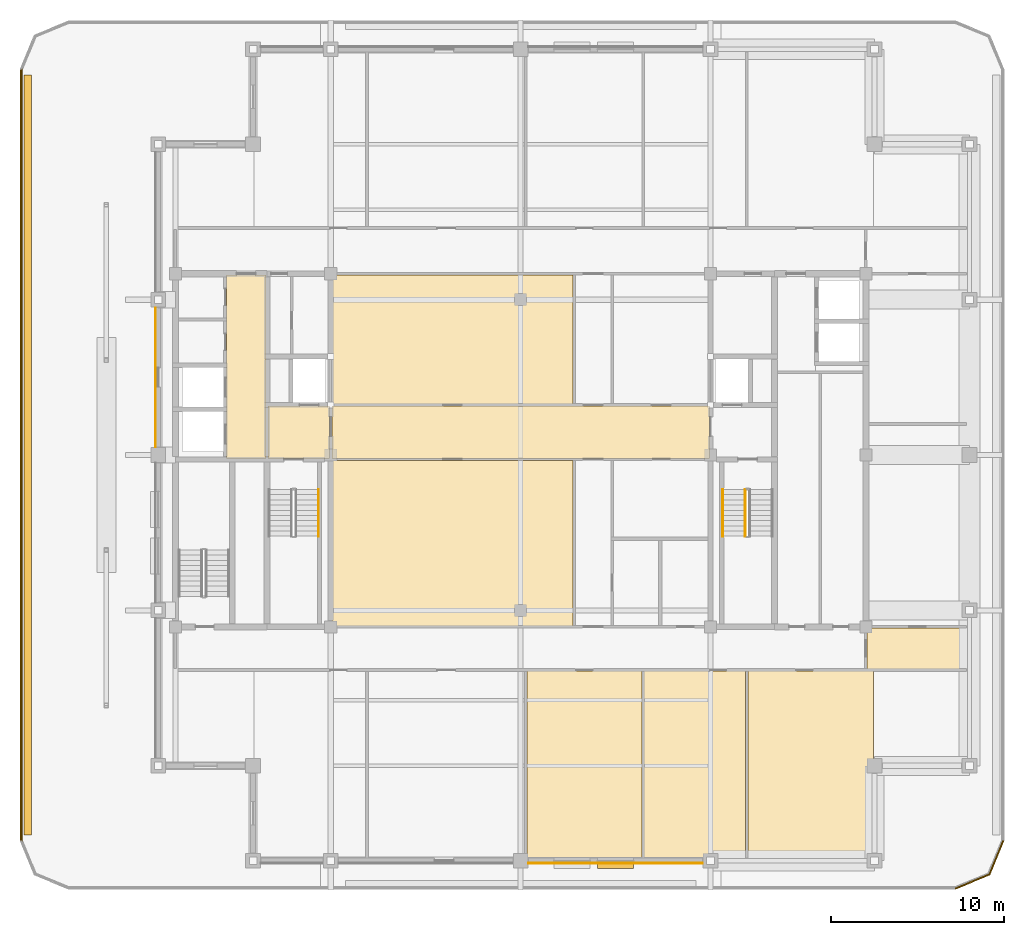
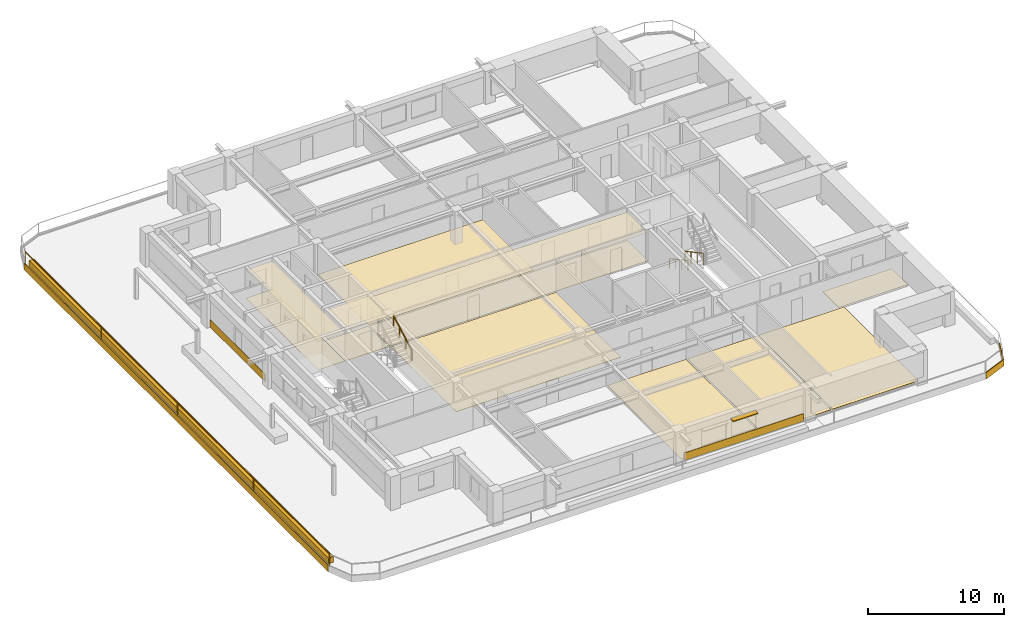
# One storey, part 12 of 14: 18 coverings, 4 railings, 1 shading device.
"""IFC4 building model written with IfcOpenShell, lengths in metres."""

import ifcopenshell
import ifcopenshell.guid

model = None  # the IFC model being written
_history = None  # IfcOwnerHistory: only IFC2X3 demands one
_inside = {}  # id of a spatial element -> (the spatial element, [elements in it])
_under = {}  # id of a project, library or spatial element -> (it, [spatial elements below it])
_declared = {}  # id of a project -> (the project, [libraries it declares])
_typed = {}  # id of a type object -> (the type object, [elements of that type])
_made_of = {}  # id of a material, layer set ... -> (it, [elements and type objects made of it])


def new_model(schema):
    """Start an empty IFC model of exactly this schema.

    Asked for "IFC4X3", IfcOpenShell would pick the latest addendum, in which some entities
    have other attributes; the version numbers below select the first issue.
    IFC2X3 requires an IfcOwnerHistory on every rooted entity: one is made here for all.
    """
    global model, _history
    if schema == "IFC4X3":
        model = ifcopenshell.file(schema_version=(4, 3, 0, 0))
    else:
        model = ifcopenshell.file(schema=schema)
    _inside.clear()
    _under.clear()
    _declared.clear()
    _typed.clear()
    _made_of.clear()
    _history = None
    if model.schema == "IFC2X3":
        org = make("IfcOrganization", Name="unknown")
        user = make(
            "IfcPersonAndOrganization",
            ThePerson=make("IfcPerson", FamilyName="unknown"),
            TheOrganization=org,
        )
        app = make(
            "IfcApplication",
            ApplicationDeveloper=org,
            Version="unknown",
            ApplicationFullName="unknown",
            ApplicationIdentifier="unknown",
        )
        _history = make(
            "IfcOwnerHistory",
            OwningUser=user,
            OwningApplication=app,
            ChangeAction="ADDED",
            CreationDate=0,
        )
    return model


def make(cls, **values):
    """One entity of the class cls with the attributes given. An attribute that is None is left unset."""
    return model.create_entity(
        cls, **{name: value for name, value in values.items() if value is not None}
    )


def rooted(cls, **values):
    """An entity with a GlobalId (a new one), such as an element, a storey or a relation."""
    return make(cls, GlobalId=ifcopenshell.guid.new(), OwnerHistory=_history, **values)


def si_unit(unit_type, name, prefix=None):
    """IfcSIUnit, for example si_unit("LENGTHUNIT", "METRE", prefix="MILLI")."""
    return make("IfcSIUnit", UnitType=unit_type, Prefix=prefix, Name=name)


def assignment(units):
    """IfcUnitAssignment: the units of a project."""
    return None if units is None else make("IfcUnitAssignment", Units=units)


def point(xyz):
    """IfcCartesianPoint."""
    return None if xyz is None else make("IfcCartesianPoint", Coordinates=xyz)


def direction(xyz):
    """IfcDirection."""
    return None if xyz is None else make("IfcDirection", DirectionRatios=xyz)


def frame(location, z_axis=None, x_axis=None):
    """IfcAxis2Placement3D, a coordinate frame: its origin and axes. An axis left out is left unset."""
    return make(
        "IfcAxis2Placement3D",
        Location=point(location),
        Axis=direction(z_axis),
        RefDirection=direction(x_axis),
    )


def frame_2d(location, x_axis=None):
    """IfcAxis2Placement2D, a coordinate frame in the plane: its origin and x axis."""
    return make(
        "IfcAxis2Placement2D", Location=point(location), RefDirection=direction(x_axis)
    )


def origin():
    """The frame at (0, 0, 0) with its axes left unset."""
    return frame((0.0, 0.0, 0.0))


def origin_2d():
    """The frame at (0, 0) in the plane with its x axis left unset."""
    return frame_2d((0.0, 0.0))


def place(relative_to, where):
    """IfcLocalPlacement: puts the frame where relative to a parent placement (None: the world)."""
    return make(
        "IfcLocalPlacement", PlacementRelTo=relative_to, RelativePlacement=where
    )


def context(
    kind, dimensions, precision=None, world=None, true_north=None, identifier=None
):
    """IfcGeometricRepresentationContext, for example the 3D "Model" context."""
    return make(
        "IfcGeometricRepresentationContext",
        ContextIdentifier=identifier,
        ContextType=kind,
        CoordinateSpaceDimension=dimensions,
        Precision=precision,
        WorldCoordinateSystem=world,
        TrueNorth=true_north,
    )


def subcontext(parent, identifier, kind, view, scale=None):
    """IfcGeometricRepresentationSubContext, for example "Body" below "Model"."""
    return make(
        "IfcGeometricRepresentationSubContext",
        ContextIdentifier=identifier,
        ContextType=kind,
        ParentContext=parent,
        TargetScale=scale,
        TargetView=view,
    )


def project(units=None, contexts=None):
    """IfcProject with its units and contexts."""
    return rooted(
        "IfcProject",
        Name="project",
        RepresentationContexts=contexts,
        UnitsInContext=assignment(units),
    )


def spatial(cls, under=None, at=None, **own):
    """A site, building, storey or space (cls), placed at a placement, below another one or the project."""
    s = rooted(cls, ObjectPlacement=at, **own)
    if under is not None:
        _under.setdefault(under.id(), (under, []))[1].append(s)
    return s


def polyline(points):
    """IfcPolyline through the points."""
    return make("IfcPolyline", Points=[point(p) for p in points])


def profile(cls, at=None, kind="AREA", **sizes):
    """A parametric profile (cls). Its sizes go by their IFC names, for example OverallWidth=200.0."""
    return make(cls, ProfileType=kind, Position=at, **sizes)


def rectangle(**sizes):
    """IfcRectangleProfileDef."""
    return profile("IfcRectangleProfileDef", **sizes)


def outline(outer, holes=None, kind="AREA"):
    """IfcArbitraryClosedProfileDef: a profile drawn as a closed curve; with holes, ...WithVoids."""
    if holes is None:
        return make("IfcArbitraryClosedProfileDef", ProfileType=kind, OuterCurve=outer)
    return make(
        "IfcArbitraryProfileDefWithVoids",
        ProfileType=kind,
        OuterCurve=outer,
        InnerCurves=holes,
    )


def extrude(swept, where, along, depth):
    """IfcExtrudedAreaSolid: the profile swept, set in the frame where, extruded along a direction by depth."""
    return make(
        "IfcExtrudedAreaSolid",
        SweptArea=swept,
        Position=where,
        ExtrudedDirection=direction(along),
        Depth=depth,
    )


def shape(context_of_items, identifier, shape_type, items):
    """IfcShapeRepresentation: the items that make up one representation, for example the "Body"."""
    return make(
        "IfcShapeRepresentation",
        ContextOfItems=context_of_items,
        RepresentationIdentifier=identifier,
        RepresentationType=shape_type,
        Items=items,
    )


def material(Name=None, Category=None):
    """IfcMaterial."""
    return make("IfcMaterial", Name=Name, Category=Category)


def layer(
    of_material, thickness, ventilated=None, Name=None, Category=None, Priority=None
):
    """IfcMaterialLayer: one layer of a wall or slab, of a material (None: an air gap)."""
    return make(
        "IfcMaterialLayer",
        Material=of_material,
        LayerThickness=thickness,
        IsVentilated=ventilated,
        Name=Name,
        Category=Category,
        Priority=Priority,
    )


def layer_set(layers, Name=None):
    """IfcMaterialLayerSet."""
    return make("IfcMaterialLayerSet", MaterialLayers=layers, LayerSetName=Name)


def made_of(thing, what):
    """Note that an element or type object is made of a material, layer set ...; save() writes the relation."""
    if what is not None:
        _made_of.setdefault(what.id(), (what, []))[1].append(thing)
    return thing


def type_object(cls, material=None, **own):
    """A type object (cls), such as IfcWallType, which elements share."""
    return made_of(rooted(cls, **own), material)


def element(
    cls,
    number,
    at=None,
    inside=None,
    cuts=None,
    type_object=None,
    material=None,
    context=None,
    identifier="Body",
    shape_type=None,
    held_by="IfcProductDefinitionShape",
    body=None,
    shapes=None,
    **own,
):
    """One element of the class cls, such as IfcWall. Its Tag is "e" and its number.

    at: its placement. inside: the storey or other place that contains it. cuts: it is an
    opening in that element (IfcRelVoidsElement). A single representation is given by context,
    identifier, shape_type and body (its items); several are given by shapes. held_by: the class
    of the entity that holds the representations. save() writes the other relations.
    """
    e = rooted(cls, Tag="e%d" % number, ObjectPlacement=at, **own)
    if body is not None:
        shapes = [shape(context, identifier, shape_type, body)]
    if shapes is not None:
        e.Representation = make(held_by, Representations=shapes)
    if inside is not None:
        _inside.setdefault(inside.id(), (inside, []))[1].append(e)
    if cuts is not None:
        rooted(
            "IfcRelVoidsElement", RelatingBuildingElement=cuts, RelatedOpeningElement=e
        )
    if type_object is not None:
        _typed.setdefault(type_object.id(), (type_object, []))[1].append(e)
    return made_of(e, material)


def aggregate(whole, parts):
    """IfcRelAggregates: a whole, such as a stair, and the parts it consists of."""
    return rooted("IfcRelAggregates", RelatingObject=whole, RelatedObjects=parts)


def save(model, path):
    """Write the relations noted so far, then the file.

    IfcRelAggregates (storeys below a building ...), IfcRelContainedInSpatialStructure (elements
    in a storey), IfcRelDefinesByType, IfcRelAssociatesMaterial and IfcRelDeclares: one each for
    every whole, place, type object, material and project.
    """
    for whole, parts in _under.values():
        aggregate(whole, parts)
    for where, things in _inside.values():
        rooted(
            "IfcRelContainedInSpatialStructure",
            RelatedElements=things,
            RelatingStructure=where,
        )
    for kind, things in _typed.values():
        rooted("IfcRelDefinesByType", RelatedObjects=things, RelatingType=kind)
    for what, things in _made_of.values():
        rooted("IfcRelAssociatesMaterial", RelatedObjects=things, RelatingMaterial=what)
    for by, libraries in _declared.values():
        rooted("IfcRelDeclares", RelatingContext=by, RelatedDefinitions=libraries)
    model.write(path)


model = new_model("IFC4")

# Units and contexts
model_context = context("Model", 3, precision=1e-05, world=origin(), true_north=direction((0.0, 1.0)))
body_context = subcontext(model_context, "Body", "Model", "MODEL_VIEW")
ifc_project = project(units=[si_unit("LENGTHUNIT", "METRE"), si_unit("AREAUNIT", "SQUARE_METRE"), si_unit("VOLUMEUNIT", "CUBIC_METRE"), si_unit("PLANEANGLEUNIT", "RADIAN"), si_unit("MASSUNIT", "GRAM", prefix="KILO")], contexts=[model_context])

# Site, building, storey
site_placement = place(None, origin())
site = spatial("IfcSite", under=ifc_project, at=site_placement, CompositionType="ELEMENT")
building_placement = place(site_placement, origin())
building = spatial("IfcBuilding", under=site, at=building_placement, Name="Zulmaris Gate Convention Tower", CompositionType="ELEMENT")
storey_placement = place(building_placement, frame((0.0, 0.0, 226.820068359375)))
storey = spatial("IfcBuildingStorey", under=building, at=storey_placement, Name="L59", CompositionType="ELEMENT", Elevation=226.820068359375)

# Coverings
ifc_material_1 = material(Name="Precast concrete C40/50", Category="concrete")
ifc_layer_1 = layer(ifc_material_1, 0.0400390625, Name="Precast concrete C40/50")
ifc_layer_set_1 = layer_set([ifc_layer_1], Name="Precast concrete C40/50")
covering_type_1 = type_object("IfcCoveringType", Name="CLAD-SPANDREL-PRECAST", PredefinedType="CLADDING", material=ifc_layer_set_1)
covering_1_placement = place(storey_placement, frame((0.455078125, -23.64990234375, 0.0), z_axis=(0.0, 0.0, 1.0), x_axis=(1.0, 0.0, 0.0)))
element("IfcCovering", 1, at=covering_1_placement, inside=storey, type_object=covering_type_1, Name="CLD-L59-S-2_0", PredefinedType="CLADDING", context=body_context, shape_type="SweptSolid", body=[
    extrude(rectangle(XDim=10.08984375, YDim=0.0400390625, at=frame_2d((5.044921875, 0.0))), origin(), (0.0, 0.0, 1.0), 0.679931640625),
])
covering_2_placement = place(storey_placement, frame((-21.14990234375, 8.544921875, 0.0), z_axis=(0.0, 0.0, 1.0), x_axis=(0.0, -1.0, 0.0)))
element("IfcCovering", 2, at=covering_2_placement, inside=storey, type_object=covering_type_1, Name="CLD-L59-W-2_0", PredefinedType="CLADDING", context=body_context, shape_type="SweptSolid", body=[
    extrude(rectangle(XDim=8.08984375, YDim=0.0400390625, at=frame_2d((4.044921875, 0.0))), origin(), (0.0, 0.0, 1.0), 0.679931640625),
])
ifc_material_2 = material(Name="White Glazed Architectural Precast Concrete C40/50", Category="concrete")
ifc_layer_2 = layer(ifc_material_2, 0.080078125, Name="White Glazed Architectural Precast Concrete C40/50")
ifc_layer_set_2 = layer_set([ifc_layer_2], Name="White Glazed Architectural Precast Concrete C40/50")
covering_type_2 = type_object("IfcCoveringType", Name="CLAD-TRAY-FASCIA", PredefinedType="CLADDING", material=ifc_layer_set_2)
covering_3_placement = place(storey_placement, frame((25.184814453125, -25.113037109375, -0.465087890625), z_axis=(0.0, 0.0, 1.0), x_axis=(0.923873803533, 0.382697263049, 0.0)))
element("IfcCovering", 3, at=covering_3_placement, inside=storey, type_object=covering_type_2, Name="FSC-L59-TR-03", PredefinedType="CLADDING", context=body_context, shape_type="SweptSolid", body=[
    extrude(rectangle(XDim=2.142822265625, YDim=0.080078125, at=frame_2d((1.0712890625, 0.0))), origin(), (0.0, 0.0, 1.0), 0.585205078125),
])
covering_4_placement = place(storey_placement, frame((27.142822265625, -24.314697265625, -0.465087890625), z_axis=(0.0, 0.0, 1.0), x_axis=(0.382656984709, 0.923890487046, 0.0)))
element("IfcCovering", 4, at=covering_4_placement, inside=storey, type_object=covering_type_2, Name="FSC-L59-TR-04", PredefinedType="CLADDING", context=body_context, shape_type="SweptSolid", body=[
    extrude(rectangle(XDim=2.14306640625, YDim=0.080078125, at=frame_2d((1.071533203125, 0.0))), origin(), (0.0, 0.0, 1.0), 0.585205078125),
])
covering_5_placement = place(storey_placement, frame((-28.9599609375, 22.35009765625, -0.465087890625), z_axis=(0.0, 0.0, 1.0), x_axis=(0.0, -1.0, 0.0)))
element("IfcCovering", 5, at=covering_5_placement, inside=storey, type_object=covering_type_2, Name="FSC-L59-TR-11", PredefinedType="CLADDING", context=body_context, shape_type="SweptSolid", body=[
    extrude(rectangle(XDim=44.7001953125, YDim=0.080078125, at=frame_2d((22.35009765625, 0.0))), origin(), (0.0, 0.0, 1.0), 0.585205078125),
])
ifc_material_3 = material(Name="Mineral Fibre Acoustic Ceiling Tile")
ifc_layer_3 = layer(ifc_material_3, 0.02001953125, Name="Mineral Fibre Acoustic Ceiling Tile")
ifc_layer_set_3 = layer_set([ifc_layer_3], Name="Mineral Fibre Acoustic Ceiling Tile")
covering_type_3 = type_object("IfcCoveringType", Name="CLG-ACOUSTIC-600", PredefinedType="CEILING", material=ifc_layer_set_3)
covering_6_placement = place(storey_placement, frame((0.0, 0.0, 2.699951171875)))
element("IfcCovering", 6, at=covering_6_placement, inside=storey, type_object=covering_type_3, Name="CLG-L59-R03", PredefinedType="CEILING", context=body_context, shape_type="SweptSolid", body=[
    extrude(outline(polyline([(-14.639892578125, -0.18994140625), (-11.06005859375, -0.18994140625), (-11.06005859375, 2.840087890625), (-14.639892578125, 2.840087890625), (-14.639892578125, -0.18994140625)])), origin(), (0.0, 0.0, 1.0), 0.02001953125),
])
covering_7_placement = place(storey_placement, frame((0.0, 0.0, 2.537841796875)))
element("IfcCovering", 7, at=covering_7_placement, inside=storey, type_object=covering_type_3, Name="CLG-L59-R18", PredefinedType="CEILING", context=body_context, shape_type="SweptSolid", body=[
    extrude(outline(polyline([(-17.0400390625, -0.18994140625), (-14.760009765625, -0.18994140625), (-14.760009765625, 10.43994140625), (-17.0400390625, 10.43994140625), (-17.0400390625, -0.18994140625)])), origin(), (0.0, 0.0, 1.0), 0.02001953125),
])
covering_8_placement = place(storey_placement, frame((0.0, 0.0, 2.537841796875)))
element("IfcCovering", 8, at=covering_8_placement, inside=storey, type_object=covering_type_3, Name="CLG-L59-R31", PredefinedType="CEILING", context=body_context, shape_type="SweptSolid", body=[
    extrude(outline(polyline([(-10.93994140625, -0.18994140625), (10.93994140625, -0.18994140625), (10.93994140625, 2.840087890625), (-10.93994140625, 2.840087890625), (-10.93994140625, -0.18994140625)])), origin(), (0.0, 0.0, 1.0), 0.02001953125),
])
ifc_material_4 = material(Name="Woven Acoustic Wool Carpet Tile")
ifc_layer_4 = layer(ifc_material_4, 0.02001953125, Name="Woven Acoustic Wool Carpet Tile")
ifc_layer_set_4 = layer_set([ifc_layer_4], Name="Woven Acoustic Wool Carpet Tile")
covering_type_4 = type_object("IfcCoveringType", Name="FLR-CARPET-12", PredefinedType="FLOORING", material=ifc_layer_set_4)
covering_9_placement = place(storey_placement, origin())
element("IfcCovering", 9, at=covering_9_placement, inside=storey, type_object=covering_type_4, Name="FLR-L59-R03", PredefinedType="FLOORING", context=body_context, shape_type="SweptSolid", body=[
    extrude(outline(polyline([(-14.639892578125, -0.18994140625), (-11.06005859375, -0.18994140625), (-11.06005859375, 2.840087890625), (-14.639892578125, 2.840087890625), (-14.639892578125, -0.18994140625)])), origin(), (0.0, 0.0, 1.0), 0.02001953125),
])
covering_10_placement = place(storey_placement, origin())
element("IfcCovering", 10, at=covering_10_placement, inside=storey, type_object=covering_type_4, Name="FLR-L59-R18", PredefinedType="FLOORING", context=body_context, shape_type="SweptSolid", body=[
    extrude(outline(polyline([(-17.0400390625, -0.18994140625), (-14.760009765625, -0.18994140625), (-14.760009765625, 10.43994140625), (-17.0400390625, 10.43994140625), (-17.0400390625, -0.18994140625)])), origin(), (0.0, 0.0, 1.0), 0.02001953125),
])
covering_11_placement = place(storey_placement, origin())
element("IfcCovering", 11, at=covering_11_placement, inside=storey, type_object=covering_type_4, Name="FLR-L59-R31", PredefinedType="FLOORING", context=body_context, shape_type="SweptSolid", body=[
    extrude(outline(polyline([(-10.93994140625, -0.18994140625), (10.93994140625, -0.18994140625), (10.93994140625, 2.840087890625), (-10.93994140625, 2.840087890625), (-10.93994140625, -0.18994140625)])), origin(), (0.0, 0.0, 1.0), 0.02001953125),
])
covering_12_placement = place(storey_placement, origin())
element("IfcCovering", 12, at=covering_12_placement, inside=storey, type_object=covering_type_4, Name="FLR-L59-R41", PredefinedType="FLOORING", context=body_context, shape_type="SweptSolid", body=[
    extrude(outline(polyline([(0.360107421875, -23.43994140625), (7.0400390625, -23.43994140625), (7.0400390625, -12.510009765625), (0.360107421875, -12.510009765625), (0.360107421875, -23.43994140625)])), origin(), (0.0, 0.0, 1.0), 0.02001953125),
])
covering_13_placement = place(storey_placement, origin())
element("IfcCovering", 13, at=covering_13_placement, inside=storey, type_object=covering_type_4, Name="FLR-L59-R42", PredefinedType="FLOORING", context=body_context, shape_type="SweptSolid", body=[
    extrude(outline(polyline([(7.159912109375, -23.43994140625), (13.0400390625, -23.43994140625), (13.0400390625, -12.510009765625), (7.159912109375, -12.510009765625), (7.159912109375, -23.43994140625)])), origin(), (0.0, 0.0, 1.0), 0.02001953125),
])
covering_14_placement = place(storey_placement, origin())
element("IfcCovering", 14, at=covering_14_placement, inside=storey, type_object=covering_type_4, Name="FLR-L59-R43", PredefinedType="FLOORING", context=body_context, shape_type="SweptSolid", body=[
    extrude(outline(polyline([(13.159912109375, -23.43994140625), (20.43994140625, -23.43994140625), (20.43994140625, -12.510009765625), (13.159912109375, -12.510009765625), (13.159912109375, -23.43994140625)])), origin(), (0.0, 0.0, 1.0), 0.02001953125),
])
covering_15_placement = place(storey_placement, origin())
element("IfcCovering", 15, at=covering_15_placement, inside=storey, type_object=covering_type_4, Name="FLR-L59-R46", PredefinedType="FLOORING", context=body_context, shape_type="SweptSolid", body=[
    extrude(outline(polyline([(-10.93994140625, -9.889892578125), (3.0400390625, -9.889892578125), (3.0400390625, -0.31005859375), (-10.93994140625, -0.31005859375), (-10.93994140625, -9.889892578125)])), origin(), (0.0, 0.0, 1.0), 0.02001953125),
])
covering_16_placement = place(storey_placement, origin())
element("IfcCovering", 16, at=covering_16_placement, inside=storey, type_object=covering_type_4, Name="FLR-L59-R51", PredefinedType="FLOORING", context=body_context, shape_type="SweptSolid", body=[
    extrude(outline(polyline([(20.06005859375, -12.389892578125), (25.93994140625, -12.389892578125), (25.93994140625, -10.010009765625), (20.06005859375, -10.010009765625), (20.06005859375, -12.389892578125)])), origin(), (0.0, 0.0, 1.0), 0.02001953125),
])
ifc_material_5 = material(Name="Polished Granite Terrazzo Tile", Category="masonry")
ifc_layer_5 = layer(ifc_material_5, 0.02001953125, Name="Polished Granite Terrazzo Tile")
ifc_layer_set_5 = layer_set([ifc_layer_5], Name="Polished Granite Terrazzo Tile")
covering_type_5 = type_object("IfcCoveringType", Name="FLR-TERRAZZO-30", PredefinedType="FLOORING", material=ifc_layer_set_5)
covering_17_placement = place(storey_placement, origin())
element("IfcCovering", 17, at=covering_17_placement, inside=storey, type_object=covering_type_5, Name="FLR-L59-R44", PredefinedType="FLOORING", context=body_context, shape_type="SweptSolid", body=[
    extrude(outline(polyline([(-10.93994140625, 2.9599609375), (3.0400390625, 2.9599609375), (3.0400390625, 10.43994140625), (-10.93994140625, 10.43994140625), (-10.93994140625, 2.9599609375)])), origin(), (0.0, 0.0, 1.0), 0.02001953125),
])
ifc_material_6 = material(Name="Botanical Green Glazed Precast Concrete C40/50", Category="concrete")
ifc_layer_6 = layer(ifc_material_6, 0.419921875, Name="Botanical Green Glazed Precast Concrete C40/50")
ifc_layer_set_6 = layer_set([ifc_layer_6], Name="Botanical Green Glazed Precast Concrete C40/50")
covering_type_6 = type_object("IfcCoveringType", Name="PLANTER-BOX-200", PredefinedType="CLADDING", material=ifc_layer_set_6)
covering_18_placement = place(storey_placement, frame((0.0, 0.0, -0.0400390625)))
element("IfcCovering", 18, at=covering_18_placement, inside=storey, type_object=covering_type_6, Name="L59 W Full-Length Balcony Tree Planter Trough", PredefinedType="CLADDING", context=body_context, shape_type="SweptSolid", body=[
    extrude(outline(polyline([(-28.760009765625, -22.0), (-28.340087890625, -22.0), (-28.340087890625, 22.0), (-28.760009765625, 22.0), (-28.760009765625, -22.0)])), origin(), (0.0, 0.0, 1.0), 0.52001953125),
])

# Railings
ifc_material_7 = material(Name="Laminated Glass and Stainless Steel", Category="steel")
railing_type_1 = type_object("IfcRailingType", Name="RL-BALC-1150", PredefinedType="BALUSTRADE", material=ifc_material_7)
railing_1_placement = place(storey_placement, frame((-28.8798828125, 22.35009765625, -0.0400390625)))
element("IfcRailing", 19, at=railing_1_placement, inside=storey, type_object=railing_type_1, Name="RL-L59-BALC-W", PredefinedType="BALUSTRADE", context=body_context, shape_type="SweptSolid", body=[
    extrude(rectangle(XDim=0.048095703125, YDim=0.048095703125, at=origin_2d()), frame((0.0, 0.0, 1.1259765625), z_axis=(0.0, -1.0, 0.0), x_axis=(1.0, 0.0, 0.0)), (0.0, 0.0, 1.0), 44.7001953125),
    extrude(rectangle(XDim=0.048095703125, YDim=0.048095703125, at=origin_2d()), frame((0.0, 0.0, 0.02392578125), z_axis=(0.0, -1.0, 0.0), x_axis=(1.0, 0.0, 0.0)), (0.0, 0.0, 1.0), 44.7001953125),
    extrude(rectangle(XDim=0.0419921875, YDim=0.0419921875, at=origin_2d()), origin(), (0.0, 0.0, 1.0), 1.101806640625),
    extrude(rectangle(XDim=0.0419921875, YDim=0.0419921875, at=origin_2d()), frame((0.0, -11.175048828125, 0.0)), (0.0, 0.0, 1.0), 1.101806640625),
    extrude(rectangle(XDim=0.0419921875, YDim=0.0419921875, at=origin_2d()), frame((0.0, -22.35009765625, 0.0)), (0.0, 0.0, 1.0), 1.101806640625),
    extrude(rectangle(XDim=0.0419921875, YDim=0.0419921875, at=origin_2d()), frame((0.0, -33.525146484375, 0.0)), (0.0, 0.0, 1.0), 1.101806640625),
    extrude(rectangle(XDim=0.0419921875, YDim=0.0419921875, at=origin_2d()), frame((0.0, -44.7001953125, 0.0)), (0.0, 0.0, 1.0), 1.101806640625),
])
ifc_material_8 = material(Name="Painted Galvanised Steel", Category="steel")
railing_type_2 = type_object("IfcRailingType", Name="RL-STG-1150", PredefinedType="GUARDRAIL", material=ifc_material_8)
railing_2_placement = place(storey_placement, frame((13.010009765625, -2.0, 0.16162109375)))
element("IfcRailing", 20, at=railing_2_placement, inside=storey, type_object=railing_type_2, Name="L59 ST-2 stair guard 1", PredefinedType="GUARDRAIL", context=body_context, shape_type="SweptSolid", body=[
    extrude(rectangle(XDim=0.048095703125, YDim=0.048095703125, at=origin_2d()), frame((0.0, 0.0, 1.076171875), z_axis=(0.0, -0.880532452117, 0.47398586558), x_axis=(1.0, 0.0, 0.0)), (0.0, 0.0, 1.0), 3.066162109375),
    extrude(rectangle(XDim=0.0419921875, YDim=0.0419921875, at=origin_2d()), origin(), (0.0, 0.0, 1.0), 1.052001953125),
    extrude(rectangle(XDim=0.0419921875, YDim=0.0419921875, at=origin_2d()), frame((0.0, -0.89990234375, 0.484375)), (0.0, 0.0, 1.0), 1.052001953125),
    extrude(rectangle(XDim=0.0419921875, YDim=0.0419921875, at=origin_2d()), frame((0.0, -1.800048828125, 0.968994140625)), (0.0, 0.0, 1.0), 1.052001953125),
    extrude(rectangle(XDim=0.0419921875, YDim=0.0419921875, at=origin_2d()), frame((0.0, -2.699951171875, 1.453369140625)), (0.0, 0.0, 1.0), 1.052001953125),
])
ifc_material_9 = material(Name="Brushed Stainless Steel", Category="steel")
railing_type_3 = type_object("IfcRailingType", Name="RL-STH-900", PredefinedType="HANDRAIL", material=ifc_material_9)
railing_3_placement = place(storey_placement, frame((-11.7099609375, -4.699951171875, 1.7763671875)))
element("IfcRailing", 21, at=railing_3_placement, inside=storey, type_object=railing_type_3, Name="L59 ST-1 stair handrail 2", PredefinedType="HANDRAIL", context=body_context, shape_type="SweptSolid", body=[
    extrude(rectangle(XDim=0.048095703125, YDim=0.048095703125, at=origin_2d()), frame((0.0, 0.0, 0.8759765625), z_axis=(0.0, 0.880499220447, 0.474047595492), x_axis=(-1.0, 0.0, 0.0)), (0.0, 0.0, 1.0), 3.06640625),
    extrude(rectangle(XDim=0.0419921875, YDim=0.0419921875, at=origin_2d()), origin(), (0.0, 0.0, 1.0), 0.851806640625),
    extrude(rectangle(XDim=0.0419921875, YDim=0.0419921875, at=origin_2d()), frame((0.0, 0.89990234375, 0.484619140625)), (0.0, 0.0, 1.0), 0.851806640625),
    extrude(rectangle(XDim=0.0419921875, YDim=0.0419921875, at=origin_2d()), frame((0.0, 1.800048828125, 0.968994140625)), (0.0, 0.0, 1.0), 0.851806640625),
    extrude(rectangle(XDim=0.0419921875, YDim=0.0419921875, at=origin_2d()), frame((0.0, 2.699951171875, 1.45361328125)), (0.0, 0.0, 1.0), 0.851806640625),
])
railing_4_placement = place(storey_placement, frame((11.7099609375, -2.0, 0.16162109375)))
element("IfcRailing", 22, at=railing_4_placement, inside=storey, type_object=railing_type_3, Name="L59 ST-2 stair handrail 1", PredefinedType="HANDRAIL", context=body_context, shape_type="SweptSolid", body=[
    extrude(rectangle(XDim=0.048095703125, YDim=0.048095703125, at=origin_2d()), frame((0.0, 0.0, 0.8759765625), z_axis=(0.0, -0.880532452117, 0.47398586558), x_axis=(1.0, 0.0, 0.0)), (0.0, 0.0, 1.0), 3.066162109375),
    extrude(rectangle(XDim=0.0419921875, YDim=0.0419921875, at=origin_2d()), origin(), (0.0, 0.0, 1.0), 0.851806640625),
    extrude(rectangle(XDim=0.0419921875, YDim=0.0419921875, at=origin_2d()), frame((0.0, -0.89990234375, 0.484375)), (0.0, 0.0, 1.0), 0.851806640625),
    extrude(rectangle(XDim=0.0419921875, YDim=0.0419921875, at=origin_2d()), frame((0.0, -1.800048828125, 0.968994140625)), (0.0, 0.0, 1.0), 0.851806640625),
    extrude(rectangle(XDim=0.0419921875, YDim=0.0419921875, at=origin_2d()), frame((0.0, -2.699951171875, 1.453369140625)), (0.0, 0.0, 1.0), 0.851806640625),
])

# Shading device
ifc_material_10 = material(Name="Glazed Ceramic Terracotta", Category="masonry")
ifc_layer_7 = layer(ifc_material_10, 0.070068359375, Name="Glazed Ceramic Terracotta")
ifc_layer_set_7 = layer_set([ifc_layer_7], Name="Glazed Ceramic Terracotta")
shading_device_type = type_object("IfcShadingDeviceType", Name="SHD-SUNSHADE-TC", PredefinedType="AWNING", material=ifc_layer_set_7)
shading_device_placement = place(storey_placement, frame((4.449951171875, -23.719970703125, 2.22998046875), z_axis=(0.0, 0.0, 1.0), x_axis=(1.0, 0.0, 0.0)))
element("IfcShadingDevice", 23, at=shading_device_placement, inside=storey, type_object=shading_device_type, Name="SHD-EW-L59-S-2_0-2", PredefinedType="AWNING", context=body_context, shape_type="SweptSolid", body=[
    extrude(rectangle(XDim=2.10009765625, YDim=0.43994140625, at=frame_2d((1.050048828125, 0.0))), origin(), (0.0, 0.0, 1.0), 0.070068359375),
])

save(model, "model.ifc")
